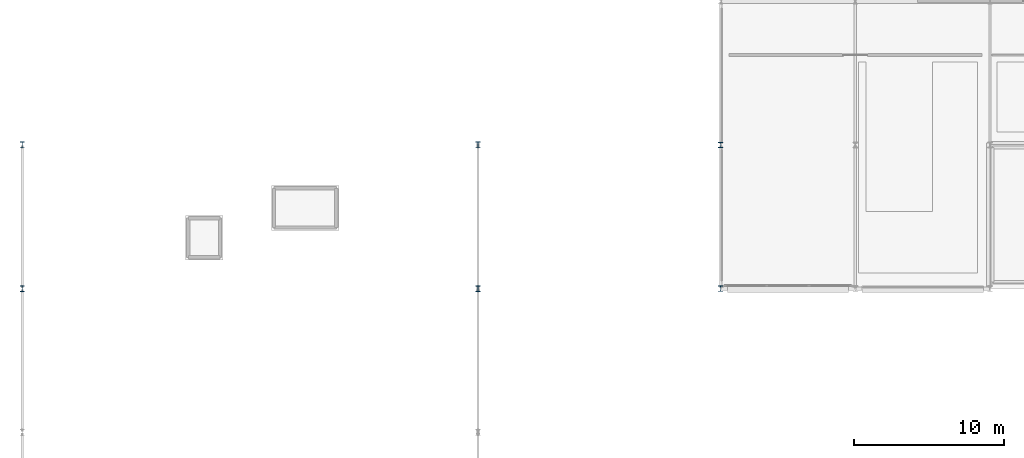
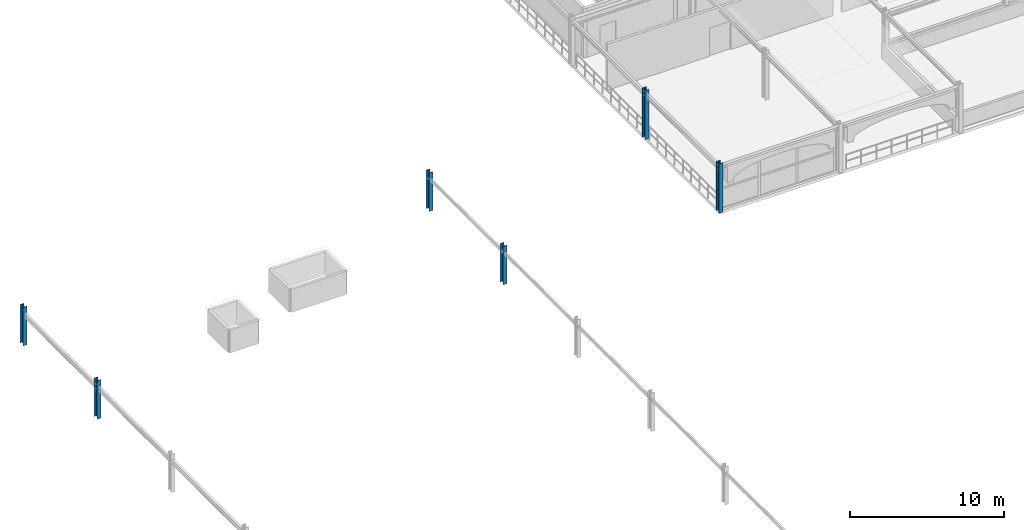
# One storey, part 4 of 25: 6 columns.
"""IFC4 building model written with IfcOpenShell, lengths in metres."""

from ifc_helpers import new_model, si_unit, direction, frame, origin, origin_2d, place, context, subcontext, project, spatial, i_section, extrude, material, material_profile, profile_set, type_object, element, save


model = new_model("IFC4")

# Units and contexts
model_context = context("Model", 3, precision=1e-05, world=origin(), true_north=direction((0.0, 1.0)))
body_context = subcontext(model_context, "Body", "Model", "MODEL_VIEW")
ifc_project = project(units=[si_unit("LENGTHUNIT", "METRE"), si_unit("AREAUNIT", "SQUARE_METRE"), si_unit("VOLUMEUNIT", "CUBIC_METRE"), si_unit("PLANEANGLEUNIT", "RADIAN"), si_unit("MASSUNIT", "GRAM", prefix="KILO")], contexts=[model_context])

# Site, building, storey
site_placement = place(None, origin())
site = spatial("IfcSite", under=ifc_project, at=site_placement, CompositionType="ELEMENT")
building_placement = place(site_placement, origin())
building = spatial("IfcBuilding", under=site, at=building_placement, Name="Myrtia Square Station", CompositionType="ELEMENT")
storey_placement = place(building_placement, frame((0.0, 0.0, 18.89990234375)))
storey = spatial("IfcBuildingStorey", under=building, at=storey_placement, Name="L04", CompositionType="ELEMENT", Elevation=18.89990234375)

# Columns
ifc_material = material(Name="Steel S355", Category="steel")
ifc_material_profile_1 = material_profile(ifc_material, i_section(OverallWidth=0.300048828125, OverallDepth=0.360107421875, WebThickness=0.012451171875, FlangeThickness=0.0224609375, FilletRadius=0.027099609375, at=origin_2d()), Name="HEB 360")
ifc_profile_set_1 = profile_set([ifc_material_profile_1], Name="Steel S355")
column_type_1 = type_object("IfcColumnType", Name="COL-HEB360", PredefinedType="COLUMN", material=ifc_profile_set_1)
for number, where, z_axis, x_axis, name in (
    (1, (126.0, 86.39990234375, 0.0), (0.0, 0.0, 1.0), (1.0, 0.0, 0.0), "Column L04-0784"),
    (2, (126.0, 96.0, 0.0), (0.0, 0.0, 1.0), (1.0, 0.0, 0.0), "Column L04-0790"),
):
    element("IfcColumn", number, at=place(storey_placement, frame(where, z_axis=z_axis, x_axis=x_axis)), inside=storey, type_object=column_type_1, Name=name, PredefinedType="COLUMN", context=body_context, shape_type="SweptSolid", body=[
        extrude(i_section(OverallWidth=0.300048828125, OverallDepth=0.360107421875, WebThickness=0.012451171875, FlangeThickness=0.0224609375, FilletRadius=0.027099609375, at=origin_2d()), origin(), (0.0, 0.0, 1.0), 3.900146484375),
    ])
ifc_material_profile_2 = material_profile(ifc_material, i_section(OverallWidth=0.300048828125, OverallDepth=0.39990234375, WebThickness=0.013427734375, FlangeThickness=0.02392578125, FilletRadius=0.027099609375, at=origin_2d()), Name="HEB 400")
ifc_profile_set_2 = profile_set([ifc_material_profile_2], Name="Steel S355")
column_type_2 = type_object("IfcColumnType", Name="COL-HEB400", PredefinedType="COLUMN", material=ifc_profile_set_2)
for number, where, z_axis, x_axis, name in (
    (3, (79.35009765625, 86.39990234375, 0.0), (0.0, 0.0, 1.0), (1.0, 0.0, 0.0), "Column L04-0388"),
    (4, (109.800048828125, 86.39990234375, 0.0), (0.0, 0.0, 1.0), (1.0, 0.0, 0.0), "Column L04-0394"),
    (5, (79.35009765625, 96.0, 0.0), (0.0, 0.0, 1.0), (1.0, 0.0, 0.0), "Column L04-0410"),
    (6, (109.800048828125, 96.0, 0.0), (0.0, 0.0, 1.0), (1.0, 0.0, 0.0), "Column L04-0416"),
):
    element("IfcColumn", number, at=place(storey_placement, frame(where, z_axis=z_axis, x_axis=x_axis)), inside=storey, type_object=column_type_2, Name=name, PredefinedType="COLUMN", context=body_context, shape_type="SweptSolid", body=[
        extrude(i_section(OverallWidth=0.300048828125, OverallDepth=0.39990234375, WebThickness=0.013427734375, FlangeThickness=0.02392578125, FilletRadius=0.027099609375, at=origin_2d()), origin(), (0.0, 0.0, 1.0), 3.050048828125),
    ])

save(model, "model.ifc")
